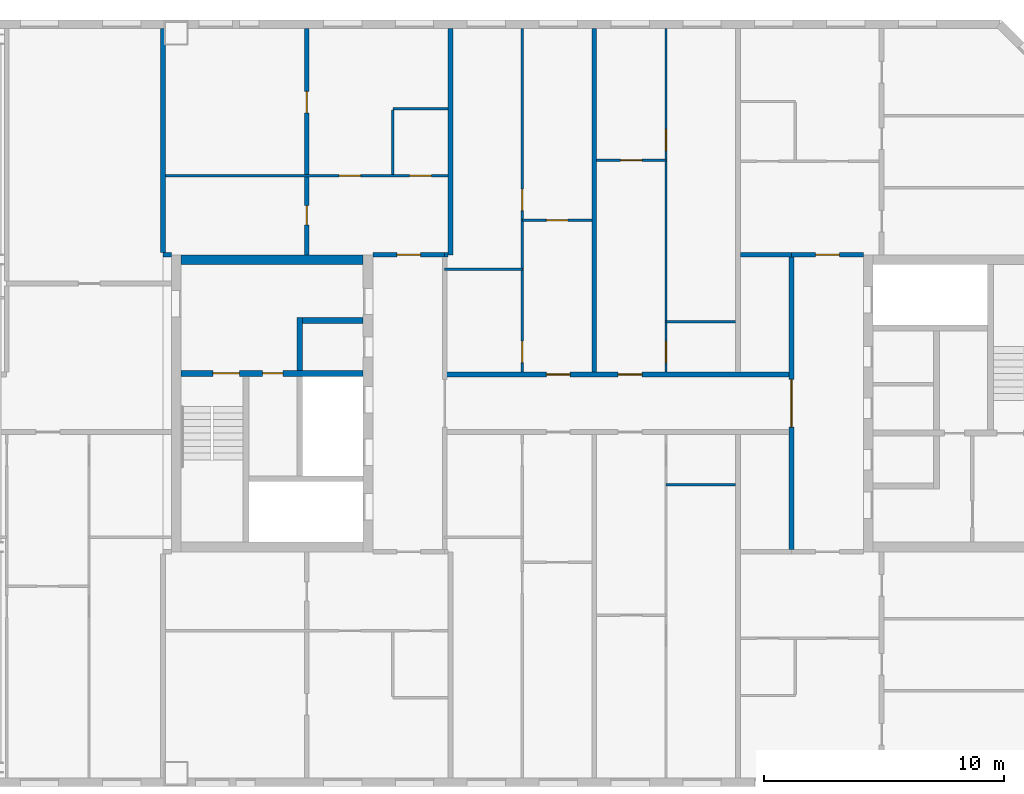
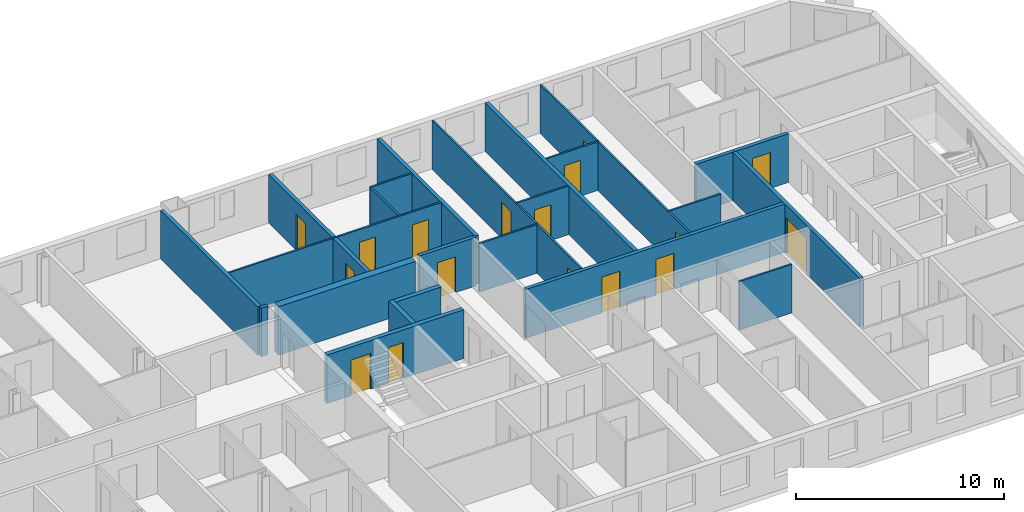
# One storey, part 15 of 19: 25 walls, 17 doors, 17 openings.
"""IFC4 building model written with IfcOpenShell, lengths in metres."""

from ifc_helpers import new_model, si_unit, direction, frame, frame_2d, origin, place, context, subcontext, project, spatial, rectangle, extrude, material, layer, layer_set, type_object, element, fill, save


model = new_model("IFC4")

# Units and contexts
model_context = context("Model", 3, precision=1e-05, world=origin(), true_north=direction((0.0, 1.0)))
body_context = subcontext(model_context, "Body", "Model", "MODEL_VIEW")
ifc_project = project(units=[si_unit("LENGTHUNIT", "METRE"), si_unit("AREAUNIT", "SQUARE_METRE"), si_unit("VOLUMEUNIT", "CUBIC_METRE"), si_unit("PLANEANGLEUNIT", "RADIAN"), si_unit("MASSUNIT", "GRAM", prefix="KILO")], contexts=[model_context])

# Site, building, storey
site_placement = place(None, origin())
site = spatial("IfcSite", under=ifc_project, at=site_placement, CompositionType="ELEMENT")
building_placement = place(site_placement, origin())
building = spatial("IfcBuilding", under=site, at=building_placement, Name="Tuart Gate Housing", CompositionType="ELEMENT")
storey_placement = place(building_placement, frame((0.0, 0.0, 209.0)))
storey = spatial("IfcBuildingStorey", under=building, at=storey_placement, Name="L59", CompositionType="ELEMENT", Elevation=209.0)

# Wall, openings, doors
ifc_material_1 = material(Name="Concrete C40", Category="concrete")
ifc_layer_1 = layer(ifc_material_1, 0.25)
ifc_layer_set_1 = layer_set([ifc_layer_1], Name="Core wall 250 C40")
wall_type_1 = type_object("IfcWallType", Name="Core wall 250 C40", PredefinedType="SHEAR", material=ifc_layer_set_1)
wall_1_placement = place(storey_placement, frame((139.360107421875, 71.25, 0.0), z_axis=(0.0, 0.0, 1.0), x_axis=(-1.0, 0.0, 0.0)))
wall_1 = element("IfcWall", 1, at=wall_1_placement, inside=storey, type_object=wall_type_1, Name="Core wall BG.2", PredefinedType="SHEAR", context=body_context, shape_type="SweptSolid", body=[
    extrude(rectangle(XDim=7.60009765625, YDim=0.25, at=frame_2d((3.800048828125, 0.0))), origin(), (0.0, 0.0, 1.0), 2.85009765625),
])
opening_1_placement = place(wall_1_placement, frame((5.175048828125, 0.0, 0.0)))
opening_1 = element("IfcOpeningElement", 2, at=opening_1_placement, cuts=wall_1, Name="Opening D2242", PredefinedType="OPENING", context=body_context, shape_type="SweptSolid", body=[
    extrude(rectangle(XDim=1.10009765625, YDim=2.10009765625, at=frame_2d((0.550048828125, 1.050048828125))), frame((0.0, 0.135009765625, 0.0), z_axis=(0.0, -1.0, 0.0), x_axis=(1.0, 0.0, 0.0)), (0.0, 0.0, 1.0), 0.27001953125),
])
opening_2_placement = place(wall_1_placement, frame((3.35009765625, 0.0, 0.0)))
opening_2 = element("IfcOpeningElement", 3, at=opening_2_placement, cuts=wall_1, Name="Opening D2241", PredefinedType="OPENING", context=body_context, shape_type="SweptSolid", body=[
    extrude(rectangle(XDim=0.85009765625, YDim=2.10009765625, at=frame_2d((0.425048828125, 1.050048828125))), frame((0.0, 0.135009765625, 0.0), z_axis=(0.0, -1.0, 0.0), x_axis=(1.0, 0.0, 0.0)), (0.0, 0.0, 1.0), 0.27001953125),
])
ifc_material_2 = material(Name="Steel fire door", Category="steel")
door_type_1 = type_object("IfcDoorType", Name="Riser door 850 x 2100", OperationType="SINGLE_SWING_LEFT", PredefinedType="DOOR", material=ifc_material_2)
door_1_placement = place(opening_2_placement, origin())
door_1 = element("IfcDoor", 4, at=door_1_placement, inside=storey, type_object=door_type_1, Name="Service room door BG.W1", OperationType="SINGLE_SWING_LEFT", OverallHeight=2.10009765625, OverallWidth=0.85009765625, PredefinedType="DOOR", context=body_context, shape_type="SweptSolid", body=[
    extrude(rectangle(XDim=0.85009765625, YDim=2.10009765625, at=frame_2d((0.425048828125, 1.050048828125))), frame((0.0, 0.02490234375, 0.0), z_axis=(0.0, -1.0, 0.0), x_axis=(1.0, 0.0, 0.0)), (0.0, 0.0, 1.0), 0.050048828125),
])
fill(opening_2, door_1)
ifc_material_3 = material(Name="Steel fire door", Category="steel")
door_type_2 = type_object("IfcDoorType", Name="Stair door 1100 x 2100", OperationType="SINGLE_SWING_LEFT", PredefinedType="DOOR", material=ifc_material_3)
door_2_placement = place(opening_1_placement, origin())
door_2 = element("IfcDoor", 5, at=door_2_placement, inside=storey, type_object=door_type_2, Name="Stair door BG.SD", OperationType="SINGLE_SWING_LEFT", OverallHeight=2.10009765625, OverallWidth=1.10009765625, PredefinedType="DOOR", context=body_context, shape_type="SweptSolid", body=[
    extrude(rectangle(XDim=1.10009765625, YDim=2.10009765625, at=frame_2d((0.550048828125, 1.050048828125))), frame((0.0, 0.02490234375, 0.0), z_axis=(0.0, -1.0, 0.0), x_axis=(1.0, 0.0, 0.0)), (0.0, 0.0, 1.0), 0.050048828125),
])
fill(opening_1, door_2)

# Walls
wall_2_placement = place(storey_placement, frame((139.360107421875, 73.449951171875, 0.0), z_axis=(0.0, 0.0, 1.0), x_axis=(-1.0, 0.0, 0.0)))
element("IfcWall", 6, at=wall_2_placement, inside=storey, type_object=wall_type_1, Name="Core wall BG.3", PredefinedType="SHEAR", context=body_context, shape_type="SweptSolid", body=[
    extrude(rectangle(XDim=2.525146484375, YDim=0.25, at=frame_2d((1.2626953125, 0.0))), origin(), (0.0, 0.0, 1.0), 2.85009765625),
])
wall_3_placement = place(storey_placement, frame((136.7099609375, 71.375, 0.0), z_axis=(0.0, 0.0, 1.0), x_axis=(0.0, 1.0, 0.0)))
element("IfcWall", 7, at=wall_3_placement, inside=storey, type_object=wall_type_1, Name="Core wall BG.5", PredefinedType="SHEAR", context=body_context, shape_type="SweptSolid", body=[
    extrude(rectangle(XDim=2.199951171875, YDim=0.25, at=frame_2d((1.10009765625, 0.0))), origin(), (0.0, 0.0, 1.0), 2.85009765625),
])
ifc_material_4 = material(Name="Concrete C40", Category="concrete")
ifc_layer_2 = layer(ifc_material_4, 0.39990234375)
ifc_layer_set_2 = layer_set([ifc_layer_2], Name="Core wall 400 C40")
wall_type_2 = type_object("IfcWallType", Name="Core wall 400 C40", PredefinedType="SHEAR", material=ifc_layer_set_2)
wall_4_placement = place(storey_placement, frame((139.360107421875, 76.0, 0.0), z_axis=(0.0, 0.0, 1.0), x_axis=(-1.0, 0.0, 0.0)))
element("IfcWall", 8, at=wall_4_placement, inside=storey, type_object=wall_type_2, Name="Core wall BG north", PredefinedType="SHEAR", context=body_context, shape_type="SweptSolid", body=[
    extrude(rectangle(XDim=7.60009765625, YDim=0.39990234375, at=frame_2d((3.800048828125, 0.0))), origin(), (0.0, 0.0, 1.0), 2.85009765625),
])

# Wall, openings, doors
ifc_material_5 = material(Name="Concrete masonry 15 MPa", Category="masonry")
ifc_layer_3 = layer(ifc_material_5, 0.199951171875)
ifc_layer_set_3 = layer_set([ifc_layer_3], Name="Corridor wall masonry 200")
wall_type_3 = type_object("IfcWallType", Name="Corridor wall masonry 200", PredefinedType="PARTITIONING", material=ifc_layer_set_3)
wall_5_placement = place(storey_placement, frame((142.760009765625, 71.199951171875, 0.0), z_axis=(0.0, 0.0, 1.0), x_axis=(1.0, 0.0, 0.0)))
wall_5 = element("IfcWall", 9, at=wall_5_placement, inside=storey, type_object=wall_type_3, Name="Corridor wall masonry 200", PredefinedType="PARTITIONING", context=body_context, shape_type="SweptSolid", body=[
    extrude(rectangle(XDim=14.47998046875, YDim=0.199951171875, at=frame_2d((7.239990234375, 0.0))), origin(), (0.0, 0.0, 1.0), 2.85009765625),
])
opening_3_placement = place(wall_5_placement, frame((4.239990234375, 0.0, 0.0)))
opening_3 = element("IfcOpeningElement", 10, at=opening_3_placement, cuts=wall_5, Name="Opening D2243", PredefinedType="OPENING", context=body_context, shape_type="SweptSolid", body=[
    extrude(rectangle(XDim=1.0, YDim=2.10009765625, at=frame_2d((0.5, 1.050048828125))), frame((0.0, 0.10986328125, 0.0), z_axis=(0.0, -1.0, 0.0), x_axis=(1.0, 0.0, 0.0)), (0.0, 0.0, 1.0), 0.219970703125),
])
opening_4_placement = place(wall_5_placement, frame((7.239990234375, 0.0, 0.0)))
opening_4 = element("IfcOpeningElement", 11, at=opening_4_placement, cuts=wall_5, Name="Opening D2244", PredefinedType="OPENING", context=body_context, shape_type="SweptSolid", body=[
    extrude(rectangle(XDim=1.0, YDim=2.10009765625, at=frame_2d((0.5, 1.050048828125))), frame((0.0, 0.10986328125, 0.0), z_axis=(0.0, -1.0, 0.0), x_axis=(1.0, 0.0, 0.0)), (0.0, 0.0, 1.0), 0.219970703125),
])
ifc_material_6 = material(Name="Timber door leaf in steel frame", Category="steel")
door_type_3 = type_object("IfcDoorType", Name="Flat entrance door 1000", OperationType="SINGLE_SWING_LEFT", PredefinedType="DOOR", material=ifc_material_6)
door_3_placement = place(opening_3_placement, origin())
door_3 = element("IfcDoor", 12, at=door_3_placement, inside=storey, type_object=door_type_3, Name="Flat entrance door", OperationType="SINGLE_SWING_LEFT", OverallHeight=2.10009765625, OverallWidth=1.0, PredefinedType="DOOR", context=body_context, shape_type="SweptSolid", body=[
    extrude(rectangle(XDim=1.0, YDim=2.10009765625, at=frame_2d((0.5, 1.050048828125))), frame((0.0, 0.02490234375, 0.0), z_axis=(0.0, -1.0, 0.0), x_axis=(1.0, 0.0, 0.0)), (0.0, 0.0, 1.0), 0.050048828125),
])
fill(opening_3, door_3)
door_4_placement = place(opening_4_placement, origin())
door_4 = element("IfcDoor", 13, at=door_4_placement, inside=storey, type_object=door_type_3, Name="Flat entrance door", OperationType="SINGLE_SWING_LEFT", OverallHeight=2.10009765625, OverallWidth=1.0, PredefinedType="DOOR", context=body_context, shape_type="SweptSolid", body=[
    extrude(rectangle(XDim=1.0, YDim=2.10009765625, at=frame_2d((0.5, 1.050048828125))), frame((0.0, 0.02490234375, 0.0), z_axis=(0.0, -1.0, 0.0), x_axis=(1.0, 0.0, 0.0)), (0.0, 0.0, 1.0), 0.050048828125),
])
fill(opening_4, door_4)

# Wall, opening, door
ifc_material_7 = material(Name="Concrete masonry 15 MPa", Category="masonry")
ifc_layer_4 = layer(ifc_material_7, 0.199951171875)
ifc_layer_set_4 = layer_set([ifc_layer_4], Name="Enclosure wall masonry 200")
wall_type_4 = type_object("IfcWallType", Name="Enclosure wall masonry 200", PredefinedType="PARTITIONING", material=ifc_layer_set_4)
wall_6_placement = place(storey_placement, frame((139.760009765625, 76.199951171875, 0.0), z_axis=(0.0, 0.0, 1.0), x_axis=(1.0, 0.0, 0.0)))
wall_6 = element("IfcWall", 14, at=wall_6_placement, inside=storey, type_object=wall_type_4, Name="Enclosure wall masonry 200", PredefinedType="PARTITIONING", context=body_context, shape_type="SweptSolid", body=[
    extrude(rectangle(XDim=3.0, YDim=0.199951171875, at=frame_2d((1.5, 0.0))), origin(), (0.0, 0.0, 1.0), 2.85009765625),
])
opening_5_placement = place(wall_6_placement, frame((1.0, 0.0, 0.0)))
opening_5 = element("IfcOpeningElement", 15, at=opening_5_placement, cuts=wall_6, Name="Opening D2239", PredefinedType="OPENING", context=body_context, shape_type="SweptSolid", body=[
    extrude(rectangle(XDim=1.0, YDim=2.10009765625, at=frame_2d((0.5, 1.050048828125))), frame((0.0, 0.10986328125, 0.0), z_axis=(0.0, -1.0, 0.0), x_axis=(1.0, 0.0, 0.0)), (0.0, 0.0, 1.0), 0.219970703125),
])
ifc_material_8 = material(Name="Timber door leaf in steel frame", Category="steel")
door_type_4 = type_object("IfcDoorType", Name="Flat entrance door 1000 RH", OperationType="SINGLE_SWING_RIGHT", PredefinedType="DOOR", material=ifc_material_8)
door_5_placement = place(opening_5_placement, origin())
door_5 = element("IfcDoor", 16, at=door_5_placement, inside=storey, type_object=door_type_4, Name="Flat entrance door", OperationType="SINGLE_SWING_RIGHT", OverallHeight=2.10009765625, OverallWidth=1.0, PredefinedType="DOOR", context=body_context, shape_type="SweptSolid", body=[
    extrude(rectangle(XDim=1.0, YDim=2.10009765625, at=frame_2d((0.5, 1.050048828125))), frame((0.0, 0.02490234375, 0.0), z_axis=(0.0, -1.0, 0.0), x_axis=(1.0, 0.0, 0.0)), (0.0, 0.0, 1.0), 0.050048828125),
])
fill(opening_5, door_5)

wall_7_placement = place(storey_placement, frame((157.239990234375, 76.199951171875, 0.0), z_axis=(0.0, 0.0, 1.0), x_axis=(1.0, 0.0, 0.0)))
wall_7 = element("IfcWall", 17, at=wall_7_placement, inside=storey, type_object=wall_type_4, Name="Enclosure wall masonry 200", PredefinedType="PARTITIONING", context=body_context, shape_type="SweptSolid", body=[
    extrude(rectangle(XDim=3.0, YDim=0.199951171875, at=frame_2d((1.5, 0.0))), origin(), (0.0, 0.0, 1.0), 2.85009765625),
])
opening_6_placement = place(wall_7_placement, frame((1.0, 0.0, 0.0)))
opening_6 = element("IfcOpeningElement", 18, at=opening_6_placement, cuts=wall_7, Name="Opening D2240", PredefinedType="OPENING", context=body_context, shape_type="SweptSolid", body=[
    extrude(rectangle(XDim=1.0, YDim=2.10009765625, at=frame_2d((0.5, 1.050048828125))), frame((0.0, 0.10986328125, 0.0), z_axis=(0.0, -1.0, 0.0), x_axis=(1.0, 0.0, 0.0)), (0.0, 0.0, 1.0), 0.219970703125),
])
door_6_placement = place(opening_6_placement, origin())
door_6 = element("IfcDoor", 19, at=door_6_placement, inside=storey, type_object=door_type_4, Name="Flat entrance door", OperationType="SINGLE_SWING_RIGHT", OverallHeight=2.10009765625, OverallWidth=1.0, PredefinedType="DOOR", context=body_context, shape_type="SweptSolid", body=[
    extrude(rectangle(XDim=1.0, YDim=2.10009765625, at=frame_2d((0.5, 1.050048828125))), frame((0.0, 0.02490234375, 0.0), z_axis=(0.0, -1.0, 0.0), x_axis=(1.0, 0.0, 0.0)), (0.0, 0.0, 1.0), 0.050048828125),
])
fill(opening_6, door_6)

ifc_material_9 = material(Name="Plasterboard partition")
ifc_layer_5 = layer(ifc_material_9, 0.199951171875)
ifc_layer_set_5 = layer_set([ifc_layer_5], Name="Lobby wall 200")
wall_type_5 = type_object("IfcWallType", Name="Lobby wall 200", PredefinedType="PARTITIONING", material=ifc_layer_set_5)
wall_8_placement = place(storey_placement, frame((157.239990234375, 63.89990234375, 0.0), z_axis=(0.0, 0.0, 1.0), x_axis=(0.0, 1.0, 0.0)))
wall_8 = element("IfcWall", 20, at=wall_8_placement, inside=storey, type_object=wall_type_5, Name="Lift lobby wall BK", PredefinedType="PARTITIONING", context=body_context, shape_type="SweptSolid", body=[
    extrude(rectangle(XDim=12.2001953125, YDim=0.199951171875, at=frame_2d((6.10009765625, 0.0))), origin(), (0.0, 0.0, 1.0), 2.85009765625),
])
opening_7_placement = place(wall_8_placement, frame((5.10009765625, 0.0, 0.0)))
opening_7 = element("IfcOpeningElement", 21, at=opening_7_placement, cuts=wall_8, Name="Opening D2249", PredefinedType="OPENING", context=body_context, shape_type="SweptSolid", body=[
    extrude(rectangle(XDim=2.0, YDim=2.10009765625, at=frame_2d((1.0, 1.050048828125))), frame((0.0, 0.10986328125, 0.0), z_axis=(0.0, -1.0, 0.0), x_axis=(1.0, 0.0, 0.0)), (0.0, 0.0, 1.0), 0.219970703125),
])
ifc_material_10 = material(Name="Steel fire door", Category="steel")
door_type_5 = type_object("IfcDoorType", Name="Smoke door 2000 x 2100", OperationType="DOUBLE_DOOR_SINGLE_SWING", PredefinedType="DOOR", material=ifc_material_10)
door_7_placement = place(opening_7_placement, frame((2.0, 0.0, 0.0), z_axis=(0.0, 0.0, 1.0), x_axis=(-1.0, 0.0, 0.0)))
door_7 = element("IfcDoor", 22, at=door_7_placement, inside=storey, type_object=door_type_5, Name="Lift lobby smoke door BK", OperationType="DOUBLE_DOOR_SINGLE_SWING", OverallHeight=2.10009765625, OverallWidth=2.0, PredefinedType="DOOR", context=body_context, shape_type="SweptSolid", body=[
    extrude(rectangle(XDim=2.0, YDim=2.10009765625, at=frame_2d((1.0, 1.050048828125))), frame((0.0, 0.025146484375, 0.0), z_axis=(0.0, -1.0, 0.0), x_axis=(1.0, 0.0, 0.0)), (0.0, 0.0, 1.0), 0.050048828125),
])
fill(opening_7, door_7)

# Walls
ifc_material_11 = material(Name="Gypsum board on steel studs", Category="steel")
ifc_layer_6 = layer(ifc_material_11, 0.10009765625)
ifc_layer_set_6 = layer_set([ifc_layer_6], Name="Partition 100")
wall_type_6 = type_object("IfcWallType", Name="Partition 100", PredefinedType="PARTITIONING", material=ifc_layer_set_6)
for number, where, z_axis, x_axis, name in (
    (23, (152.0, 66.60009765625, 0.0), (0.0, 0.0, 1.0), (1.0, 0.0, 0.0), "Partition 100"),
    (24, (152.0, 73.39990234375, 0.0), (0.0, 0.0, 1.0), (1.0, 0.0, 0.0), "Partition 100"),
):
    element("IfcWall", number, at=place(storey_placement, frame(where, z_axis=z_axis, x_axis=x_axis)), inside=storey, type_object=wall_type_6, Name=name, PredefinedType="PARTITIONING", context=body_context, shape_type="SweptSolid", body=[
        extrude(rectangle(XDim=2.89990234375, YDim=0.10009765625, at=frame_2d((1.449951171875, 0.0))), origin(), (0.0, 0.0, 1.0), 2.85009765625),
    ])
wall_9_placement = place(storey_placement, frame((142.760009765625, 75.60009765625, 0.0), z_axis=(0.0, 0.0, 1.0), x_axis=(1.0, 0.0, 0.0)))
element("IfcWall", 25, at=wall_9_placement, inside=storey, type_object=wall_type_6, Name="Partition 100", PredefinedType="PARTITIONING", context=body_context, shape_type="SweptSolid", body=[
    extrude(rectangle(XDim=3.239990234375, YDim=0.10009765625, at=frame_2d((1.6201171875, 0.0))), origin(), (0.0, 0.0, 1.0), 2.85009765625),
])

# Wall, opening, door
wall_10_placement = place(storey_placement, frame((146.0, 77.639892578125, 0.0), z_axis=(0.0, 0.0, 1.0), x_axis=(1.0, 0.0, 0.0)))
wall_10 = element("IfcWall", 26, at=wall_10_placement, inside=storey, type_object=wall_type_6, Name="Partition 100", PredefinedType="PARTITIONING", context=body_context, shape_type="SweptSolid", body=[
    extrude(rectangle(XDim=2.89990234375, YDim=0.10009765625, at=frame_2d((1.449951171875, 0.0))), origin(), (0.0, 0.0, 1.0), 2.85009765625),
])
opening_8_placement = place(wall_10_placement, frame((1.0, 0.0, 0.0)))
opening_8 = element("IfcOpeningElement", 27, at=opening_8_placement, cuts=wall_10, Name="Opening D2238", PredefinedType="OPENING", context=body_context, shape_type="SweptSolid", body=[
    extrude(rectangle(XDim=0.89990234375, YDim=2.10009765625, at=frame_2d((0.449951171875, 1.050048828125))), frame((0.0, 0.06005859375, 0.0), z_axis=(0.0, -1.0, 0.0), x_axis=(1.0, 0.0, 0.0)), (0.0, 0.0, 1.0), 0.1201171875),
])
ifc_material_12 = material(Name="Timber door leaf in steel frame", Category="steel")
door_type_6 = type_object("IfcDoorType", Name="Internal door 900 RH", OperationType="SINGLE_SWING_RIGHT", PredefinedType="DOOR", material=ifc_material_12)
door_8_placement = place(opening_8_placement, frame((0.89990234375, 0.0, 0.0), z_axis=(0.0, 0.0, 1.0), x_axis=(-1.0, 0.0, 0.0)))
door_8 = element("IfcDoor", 28, at=door_8_placement, inside=storey, type_object=door_type_6, Name="Internal door", OperationType="SINGLE_SWING_RIGHT", OverallHeight=2.10009765625, OverallWidth=0.89990234375, PredefinedType="DOOR", context=body_context, shape_type="SweptSolid", body=[
    extrude(rectangle(XDim=0.89990234375, YDim=2.10009765625, at=frame_2d((0.449951171875, 1.050048828125))), frame((0.0, 0.025146484375, 0.0), z_axis=(0.0, -1.0, 0.0), x_axis=(1.0, 0.0, 0.0)), (0.0, 0.0, 1.0), 0.050048828125),
])
fill(opening_8, door_8)

# Wall, openings, doors
wall_11_placement = place(storey_placement, frame((131.10009765625, 79.5, 0.0), z_axis=(0.0, 0.0, 1.0), x_axis=(1.0, 0.0, 0.0)))
wall_11 = element("IfcWall", 29, at=wall_11_placement, inside=storey, type_object=wall_type_6, Name="Partition 100", PredefinedType="PARTITIONING", context=body_context, shape_type="SweptSolid", body=[
    extrude(rectangle(XDim=11.7998046875, YDim=0.10009765625, at=frame_2d((5.89990234375, 0.0))), origin(), (0.0, 0.0, 1.0), 2.85009765625),
])
opening_9_placement = place(wall_11_placement, frame((7.25, 0.0, 0.0)))
opening_9 = element("IfcOpeningElement", 30, at=opening_9_placement, cuts=wall_11, Name="Opening D2233", PredefinedType="OPENING", context=body_context, shape_type="SweptSolid", body=[
    extrude(rectangle(XDim=0.89990234375, YDim=2.10009765625, at=frame_2d((0.449951171875, 1.050048828125))), frame((0.0, 0.06005859375, 0.0), z_axis=(0.0, -1.0, 0.0), x_axis=(1.0, 0.0, 0.0)), (0.0, 0.0, 1.0), 0.1201171875),
])
opening_10_placement = place(wall_11_placement, frame((10.199951171875, 0.0, 0.0)))
opening_10 = element("IfcOpeningElement", 31, at=opening_10_placement, cuts=wall_11, Name="Opening D2232", PredefinedType="OPENING", context=body_context, shape_type="SweptSolid", body=[
    extrude(rectangle(XDim=0.89990234375, YDim=2.10009765625, at=frame_2d((0.449951171875, 1.050048828125))), frame((0.0, 0.06005859375, 0.0), z_axis=(0.0, -1.0, 0.0), x_axis=(1.0, 0.0, 0.0)), (0.0, 0.0, 1.0), 0.1201171875),
])
ifc_material_13 = material(Name="Timber door leaf in steel frame", Category="steel")
door_type_7 = type_object("IfcDoorType", Name="Bathroom door 900", OperationType="SINGLE_SWING_LEFT", PredefinedType="DOOR", material=ifc_material_13)
door_9_placement = place(opening_10_placement, origin())
door_9 = element("IfcDoor", 32, at=door_9_placement, inside=storey, type_object=door_type_7, Name="Bathroom door", OperationType="SINGLE_SWING_LEFT", OverallHeight=2.10009765625, OverallWidth=0.89990234375, PredefinedType="DOOR", context=body_context, shape_type="SweptSolid", body=[
    extrude(rectangle(XDim=0.89990234375, YDim=2.10009765625, at=frame_2d((0.449951171875, 1.050048828125))), frame((0.0, 0.02490234375, 0.0), z_axis=(0.0, -1.0, 0.0), x_axis=(1.0, 0.0, 0.0)), (0.0, 0.0, 1.0), 0.050048828125),
])
fill(opening_10, door_9)
door_10_placement = place(opening_9_placement, frame((0.89990234375, 0.0, 0.0), z_axis=(0.0, 0.0, 1.0), x_axis=(-1.0, 0.0, 0.0)))
door_10 = element("IfcDoor", 33, at=door_10_placement, inside=storey, type_object=door_type_6, Name="Internal door", OperationType="SINGLE_SWING_RIGHT", OverallHeight=2.10009765625, OverallWidth=0.89990234375, PredefinedType="DOOR", context=body_context, shape_type="SweptSolid", body=[
    extrude(rectangle(XDim=0.89990234375, YDim=2.10009765625, at=frame_2d((0.449951171875, 1.050048828125))), frame((0.0, 0.025146484375, 0.0), z_axis=(0.0, -1.0, 0.0), x_axis=(1.0, 0.0, 0.0)), (0.0, 0.0, 1.0), 0.050048828125),
])
fill(opening_9, door_10)

# Wall, opening, door
wall_12_placement = place(storey_placement, frame((149.10009765625, 80.139892578125, 0.0), z_axis=(0.0, 0.0, 1.0), x_axis=(1.0, 0.0, 0.0)))
wall_12 = element("IfcWall", 34, at=wall_12_placement, inside=storey, type_object=wall_type_6, Name="Partition 100", PredefinedType="PARTITIONING", context=body_context, shape_type="SweptSolid", body=[
    extrude(rectangle(XDim=2.89990234375, YDim=0.10009765625, at=frame_2d((1.449951171875, 0.0))), origin(), (0.0, 0.0, 1.0), 2.85009765625),
])
opening_11_placement = place(wall_12_placement, frame((1.0, 0.0, 0.0)))
opening_11 = element("IfcOpeningElement", 35, at=opening_11_placement, cuts=wall_12, Name="Opening D2229", PredefinedType="OPENING", context=body_context, shape_type="SweptSolid", body=[
    extrude(rectangle(XDim=0.89990234375, YDim=2.10009765625, at=frame_2d((0.449951171875, 1.050048828125))), frame((0.0, 0.06005859375, 0.0), z_axis=(0.0, -1.0, 0.0), x_axis=(1.0, 0.0, 0.0)), (0.0, 0.0, 1.0), 0.1201171875),
])
ifc_material_14 = material(Name="Timber door leaf in steel frame", Category="steel")
door_type_8 = type_object("IfcDoorType", Name="Internal door 900", OperationType="SINGLE_SWING_LEFT", PredefinedType="DOOR", material=ifc_material_14)
door_11_placement = place(opening_11_placement, frame((0.89990234375, 0.0, 0.0), z_axis=(0.0, 0.0, 1.0), x_axis=(-1.0, 0.0, 0.0)))
door_11 = element("IfcDoor", 36, at=door_11_placement, inside=storey, type_object=door_type_8, Name="Internal door", OperationType="SINGLE_SWING_LEFT", OverallHeight=2.10009765625, OverallWidth=0.89990234375, PredefinedType="DOOR", context=body_context, shape_type="SweptSolid", body=[
    extrude(rectangle(XDim=0.89990234375, YDim=2.10009765625, at=frame_2d((0.449951171875, 1.050048828125))), frame((0.0, 0.025146484375, 0.0), z_axis=(0.0, -1.0, 0.0), x_axis=(1.0, 0.0, 0.0)), (0.0, 0.0, 1.0), 0.050048828125),
])
fill(opening_11, door_11)

# Walls
wall_13_placement = place(storey_placement, frame((140.60009765625, 82.300048828125, 0.0), z_axis=(0.0, 0.0, 1.0), x_axis=(1.0, 0.0, 0.0)))
element("IfcWall", 37, at=wall_13_placement, inside=storey, type_object=wall_type_6, Name="Partition 100", PredefinedType="PARTITIONING", context=body_context, shape_type="SweptSolid", body=[
    extrude(rectangle(XDim=2.2998046875, YDim=0.10009765625, at=frame_2d((1.14990234375, 0.0))), origin(), (0.0, 0.0, 1.0), 2.85009765625),
])
wall_14_placement = place(storey_placement, frame((140.60009765625, 79.550048828125, 0.0), z_axis=(0.0, 0.0, 1.0), x_axis=(0.0, 1.0, 0.0)))
element("IfcWall", 38, at=wall_14_placement, inside=storey, type_object=wall_type_6, Name="Partition 100", PredefinedType="PARTITIONING", context=body_context, shape_type="SweptSolid", body=[
    extrude(rectangle(XDim=2.699951171875, YDim=0.10009765625, at=frame_2d((1.35009765625, 0.0))), origin(), (0.0, 0.0, 1.0), 2.85009765625),
])

# Wall, openings, doors
wall_15_placement = place(storey_placement, frame((146.0, 71.300048828125, 0.0), z_axis=(0.0, 0.0, 1.0), x_axis=(0.0, 1.0, 0.0)))
wall_15 = element("IfcWall", 39, at=wall_15_placement, inside=storey, type_object=wall_type_6, Name="Partition 100", PredefinedType="PARTITIONING", context=body_context, shape_type="SweptSolid", body=[
    extrude(rectangle(XDim=14.33984375, YDim=0.10009765625, at=frame_2d((7.169921875, 0.0))), origin(), (0.0, 0.0, 1.0), 2.85009765625),
])
opening_12_placement = place(wall_15_placement, frame((6.739990234375, 0.0, 0.0)))
opening_12 = element("IfcOpeningElement", 40, at=opening_12_placement, cuts=wall_15, Name="Opening D2235", PredefinedType="OPENING", context=body_context, shape_type="SweptSolid", body=[
    extrude(rectangle(XDim=0.89990234375, YDim=2.10009765625, at=frame_2d((0.449951171875, 1.050048828125))), frame((0.0, 0.06005859375, 0.0), z_axis=(0.0, -1.0, 0.0), x_axis=(1.0, 0.0, 0.0)), (0.0, 0.0, 1.0), 0.1201171875),
])
opening_13_placement = place(wall_15_placement, frame((0.39990234375, 0.0, 0.0)))
opening_13 = element("IfcOpeningElement", 41, at=opening_13_placement, cuts=wall_15, Name="Opening D2234", PredefinedType="OPENING", context=body_context, shape_type="SweptSolid", body=[
    extrude(rectangle(XDim=0.89990234375, YDim=2.10009765625, at=frame_2d((0.449951171875, 1.050048828125))), frame((0.0, 0.06005859375, 0.0), z_axis=(0.0, -1.0, 0.0), x_axis=(1.0, 0.0, 0.0)), (0.0, 0.0, 1.0), 0.1201171875),
])
door_12_placement = place(opening_13_placement, origin())
door_12 = element("IfcDoor", 42, at=door_12_placement, inside=storey, type_object=door_type_7, Name="Bathroom door", OperationType="SINGLE_SWING_LEFT", OverallHeight=2.10009765625, OverallWidth=0.89990234375, PredefinedType="DOOR", context=body_context, shape_type="SweptSolid", body=[
    extrude(rectangle(XDim=0.89990234375, YDim=2.10009765625, at=frame_2d((0.449951171875, 1.050048828125))), frame((0.0, 0.02490234375, 0.0), z_axis=(0.0, -1.0, 0.0), x_axis=(1.0, 0.0, 0.0)), (0.0, 0.0, 1.0), 0.050048828125),
])
fill(opening_13, door_12)
door_13_placement = place(opening_12_placement, origin())
door_13 = element("IfcDoor", 43, at=door_13_placement, inside=storey, type_object=door_type_8, Name="Internal door", OperationType="SINGLE_SWING_LEFT", OverallHeight=2.10009765625, OverallWidth=0.89990234375, PredefinedType="DOOR", context=body_context, shape_type="SweptSolid", body=[
    extrude(rectangle(XDim=0.89990234375, YDim=2.10009765625, at=frame_2d((0.449951171875, 1.050048828125))), frame((0.0, 0.02490234375, 0.0), z_axis=(0.0, -1.0, 0.0), x_axis=(1.0, 0.0, 0.0)), (0.0, 0.0, 1.0), 0.050048828125),
])
fill(opening_12, door_13)

wall_16_placement = place(storey_placement, frame((152.0, 71.300048828125, 0.0), z_axis=(0.0, 0.0, 1.0), x_axis=(0.0, 1.0, 0.0)))
wall_16 = element("IfcWall", 44, at=wall_16_placement, inside=storey, type_object=wall_type_6, Name="Partition 100", PredefinedType="PARTITIONING", context=body_context, shape_type="SweptSolid", body=[
    extrude(rectangle(XDim=14.33984375, YDim=0.10009765625, at=frame_2d((7.169921875, 0.0))), origin(), (0.0, 0.0, 1.0), 2.85009765625),
])
opening_14_placement = place(wall_16_placement, frame((9.239990234375, 0.0, 0.0)))
opening_14 = element("IfcOpeningElement", 45, at=opening_14_placement, cuts=wall_16, Name="Opening D2237", PredefinedType="OPENING", context=body_context, shape_type="SweptSolid", body=[
    extrude(rectangle(XDim=0.89990234375, YDim=2.10009765625, at=frame_2d((0.449951171875, 1.050048828125))), frame((0.0, 0.06005859375, 0.0), z_axis=(0.0, -1.0, 0.0), x_axis=(1.0, 0.0, 0.0)), (0.0, 0.0, 1.0), 0.1201171875),
])
opening_15_placement = place(wall_16_placement, frame((0.39990234375, 0.0, 0.0)))
opening_15 = element("IfcOpeningElement", 46, at=opening_15_placement, cuts=wall_16, Name="Opening D2236", PredefinedType="OPENING", context=body_context, shape_type="SweptSolid", body=[
    extrude(rectangle(XDim=0.89990234375, YDim=2.10009765625, at=frame_2d((0.449951171875, 1.050048828125))), frame((0.0, 0.06005859375, 0.0), z_axis=(0.0, -1.0, 0.0), x_axis=(1.0, 0.0, 0.0)), (0.0, 0.0, 1.0), 0.1201171875),
])
ifc_material_15 = material(Name="Timber door leaf in steel frame", Category="steel")
door_type_9 = type_object("IfcDoorType", Name="Bathroom door 900 RH", OperationType="SINGLE_SWING_RIGHT", PredefinedType="DOOR", material=ifc_material_15)
door_14_placement = place(opening_15_placement, frame((0.89990234375, 0.0, 0.0), z_axis=(0.0, 0.0, 1.0), x_axis=(-1.0, 0.0, 0.0)))
door_14 = element("IfcDoor", 47, at=door_14_placement, inside=storey, type_object=door_type_9, Name="Bathroom door", OperationType="SINGLE_SWING_RIGHT", OverallHeight=2.10009765625, OverallWidth=0.89990234375, PredefinedType="DOOR", context=body_context, shape_type="SweptSolid", body=[
    extrude(rectangle(XDim=0.89990234375, YDim=2.10009765625, at=frame_2d((0.449951171875, 1.050048828125))), frame((0.0, 0.025146484375, 0.0), z_axis=(0.0, -1.0, 0.0), x_axis=(1.0, 0.0, 0.0)), (0.0, 0.0, 1.0), 0.050048828125),
])
fill(opening_15, door_14)
door_15_placement = place(opening_14_placement, frame((0.89990234375, 0.0, 0.0), z_axis=(0.0, 0.0, 1.0), x_axis=(-1.0, 0.0, 0.0)))
door_15 = element("IfcDoor", 48, at=door_15_placement, inside=storey, type_object=door_type_8, Name="Internal door", OperationType="SINGLE_SWING_LEFT", OverallHeight=2.10009765625, OverallWidth=0.89990234375, PredefinedType="DOOR", context=body_context, shape_type="SweptSolid", body=[
    extrude(rectangle(XDim=0.89990234375, YDim=2.10009765625, at=frame_2d((0.449951171875, 1.050048828125))), frame((0.0, 0.025146484375, 0.0), z_axis=(0.0, -1.0, 0.0), x_axis=(1.0, 0.0, 0.0)), (0.0, 0.0, 1.0), 0.050048828125),
])
fill(opening_14, door_15)

ifc_material_16 = material(Name="Concrete C40", Category="concrete")
ifc_layer_7 = layer(ifc_material_16, 0.199951171875)
ifc_layer_set_7 = layer_set([ifc_layer_7], Name="Party wall concrete C40 200")
wall_type_7 = type_object("IfcWallType", Name="Party wall concrete C40 200", PredefinedType="SOLIDWALL", material=ifc_layer_set_7)
wall_17_placement = place(storey_placement, frame((137.0, 76.199951171875, 0.0), z_axis=(0.0, 0.0, 1.0), x_axis=(0.0, 1.0, 0.0)))
wall_17 = element("IfcWall", 49, at=wall_17_placement, inside=storey, type_object=wall_type_7, Name="Party wall concrete C40 200", PredefinedType="SOLIDWALL", context=body_context, shape_type="SweptSolid", body=[
    extrude(rectangle(XDim=9.43994140625, YDim=0.199951171875, at=frame_2d((4.719970703125, 0.0))), origin(), (0.0, 0.0, 1.0), 2.85009765625),
])
opening_16_placement = place(wall_17_placement, frame((5.919921875, 0.0, 0.0)))
opening_16 = element("IfcOpeningElement", 50, at=opening_16_placement, cuts=wall_17, Name="Opening D2224", PredefinedType="OPENING", context=body_context, shape_type="SweptSolid", body=[
    extrude(rectangle(XDim=0.89990234375, YDim=2.10009765625, at=frame_2d((0.449951171875, 1.050048828125))), frame((0.0, 0.10986328125, 0.0), z_axis=(0.0, -1.0, 0.0), x_axis=(1.0, 0.0, 0.0)), (0.0, 0.0, 1.0), 0.219970703125),
])
opening_17_placement = place(wall_17_placement, frame((1.25, 0.0, 0.0)))
opening_17 = element("IfcOpeningElement", 51, at=opening_17_placement, cuts=wall_17, Name="Opening D2225", PredefinedType="OPENING", context=body_context, shape_type="SweptSolid", body=[
    extrude(rectangle(XDim=0.800048828125, YDim=2.10009765625, at=frame_2d((0.39990234375, 1.050048828125))), frame((0.0, 0.10986328125, 0.0), z_axis=(0.0, -1.0, 0.0), x_axis=(1.0, 0.0, 0.0)), (0.0, 0.0, 1.0), 0.219970703125),
])
door_16_placement = place(opening_16_placement, origin())
door_16 = element("IfcDoor", 52, at=door_16_placement, inside=storey, type_object=door_type_8, Name="Internal door", OperationType="SINGLE_SWING_LEFT", OverallHeight=2.10009765625, OverallWidth=0.89990234375, PredefinedType="DOOR", context=body_context, shape_type="SweptSolid", body=[
    extrude(rectangle(XDim=0.89990234375, YDim=2.10009765625, at=frame_2d((0.449951171875, 1.050048828125))), frame((0.0, 0.02490234375, 0.0), z_axis=(0.0, -1.0, 0.0), x_axis=(1.0, 0.0, 0.0)), (0.0, 0.0, 1.0), 0.050048828125),
])
fill(opening_16, door_16)
ifc_material_17 = material(Name="Timber door leaf in steel frame", Category="steel")
door_type_10 = type_object("IfcDoorType", Name="Store door 800", OperationType="SINGLE_SWING_LEFT", PredefinedType="DOOR", material=ifc_material_17)
door_17_placement = place(opening_17_placement, origin())
door_17 = element("IfcDoor", 53, at=door_17_placement, inside=storey, type_object=door_type_10, Name="Store door", OperationType="SINGLE_SWING_LEFT", OverallHeight=2.10009765625, OverallWidth=0.800048828125, PredefinedType="DOOR", context=body_context, shape_type="SweptSolid", body=[
    extrude(rectangle(XDim=0.800048828125, YDim=2.10009765625, at=frame_2d((0.39990234375, 1.050048828125))), frame((0.0, 0.02490234375, 0.0), z_axis=(0.0, -1.0, 0.0), x_axis=(1.0, 0.0, 0.0)), (0.0, 0.0, 1.0), 0.050048828125),
])
fill(opening_17, door_17)

# Walls
wall_18_placement = place(storey_placement, frame((143.0, 76.199951171875, 0.0), z_axis=(0.0, 0.0, 1.0), x_axis=(0.0, 1.0, 0.0)))
element("IfcWall", 54, at=wall_18_placement, inside=storey, type_object=wall_type_7, Name="Party wall concrete C40 200", PredefinedType="SOLIDWALL", context=body_context, shape_type="SweptSolid", body=[
    extrude(rectangle(XDim=9.43994140625, YDim=0.199951171875, at=frame_2d((4.719970703125, 0.0))), origin(), (0.0, 0.0, 1.0), 2.85009765625),
])
wall_19_placement = place(storey_placement, frame((149.0, 71.199951171875, 0.0), z_axis=(0.0, 0.0, 1.0), x_axis=(0.0, 1.0, 0.0)))
element("IfcWall", 55, at=wall_19_placement, inside=storey, type_object=wall_type_7, Name="Party wall concrete C40 200", PredefinedType="SOLIDWALL", context=body_context, shape_type="SweptSolid", body=[
    extrude(rectangle(XDim=14.43994140625, YDim=0.199951171875, at=frame_2d((7.219970703125, 0.0))), origin(), (0.0, 0.0, 1.0), 2.85009765625),
])
ifc_material_18 = material(Name="Concrete masonry 15 MPa", Category="masonry")
ifc_layer_8 = layer(ifc_material_18, 0.199951171875)
ifc_layer_set_8 = layer_set([ifc_layer_8], Name="Party wall masonry 200")
wall_type_8 = type_object("IfcWallType", Name="Party wall masonry 200", PredefinedType="PARTITIONING", material=ifc_layer_set_8)
wall_20_placement = place(storey_placement, frame((131.0, 76.199951171875, 0.0), z_axis=(0.0, 0.0, 1.0), x_axis=(1.0, 0.0, 0.0)))
element("IfcWall", 56, at=wall_20_placement, inside=storey, type_object=wall_type_8, Name="Party wall masonry 200", PredefinedType="PARTITIONING", context=body_context, shape_type="SweptSolid", body=[
    extrude(rectangle(XDim=0.360107421875, YDim=0.199951171875, at=frame_2d((0.18017578125, 0.0))), origin(), (0.0, 0.0, 1.0), 2.85009765625),
])
wall_21_placement = place(storey_placement, frame((142.760009765625, 76.199951171875, 0.0), z_axis=(0.0, 0.0, 1.0), x_axis=(1.0, 0.0, 0.0)))
element("IfcWall", 57, at=wall_21_placement, inside=storey, type_object=wall_type_8, Name="Party wall masonry 200", PredefinedType="PARTITIONING", context=body_context, shape_type="SweptSolid", body=[
    extrude(rectangle(XDim=0.139892578125, YDim=0.199951171875, at=frame_2d((0.06982421875, 0.0))), origin(), (0.0, 0.0, 1.0), 2.85009765625),
])
wall_22_placement = place(storey_placement, frame((155.10009765625, 76.199951171875, 0.0), z_axis=(0.0, 0.0, 1.0), x_axis=(1.0, 0.0, 0.0)))
element("IfcWall", 58, at=wall_22_placement, inside=storey, type_object=wall_type_8, Name="Party wall masonry 200", PredefinedType="PARTITIONING", context=body_context, shape_type="SweptSolid", body=[
    extrude(rectangle(XDim=2.139892578125, YDim=0.199951171875, at=frame_2d((1.06982421875, 0.0))), origin(), (0.0, 0.0, 1.0), 2.85009765625),
])
wall_23_placement = place(storey_placement, frame((131.0, 76.300048828125, 0.0), z_axis=(0.0, 0.0, 1.0), x_axis=(0.0, 1.0, 0.0)))
element("IfcWall", 59, at=wall_23_placement, inside=storey, type_object=wall_type_8, Name="Party wall masonry 200", PredefinedType="PARTITIONING", context=body_context, shape_type="SweptSolid", body=[
    extrude(rectangle(XDim=9.33984375, YDim=0.199951171875, at=frame_2d((4.669921875, 0.0))), origin(), (0.0, 0.0, 1.0), 2.85009765625),
])

save(model, "model.ifc")
